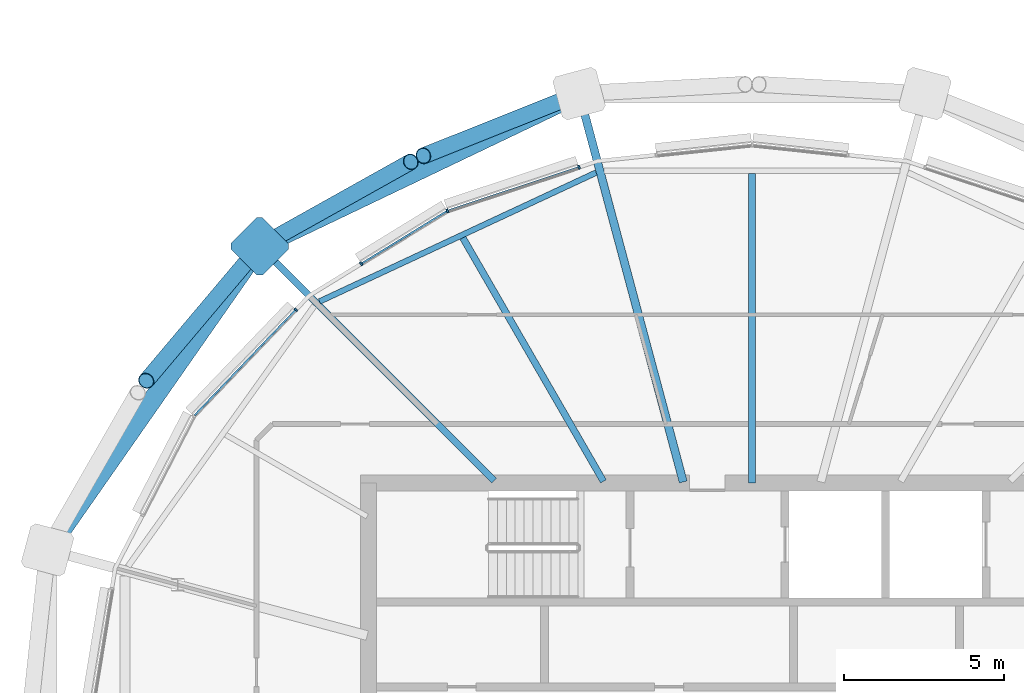
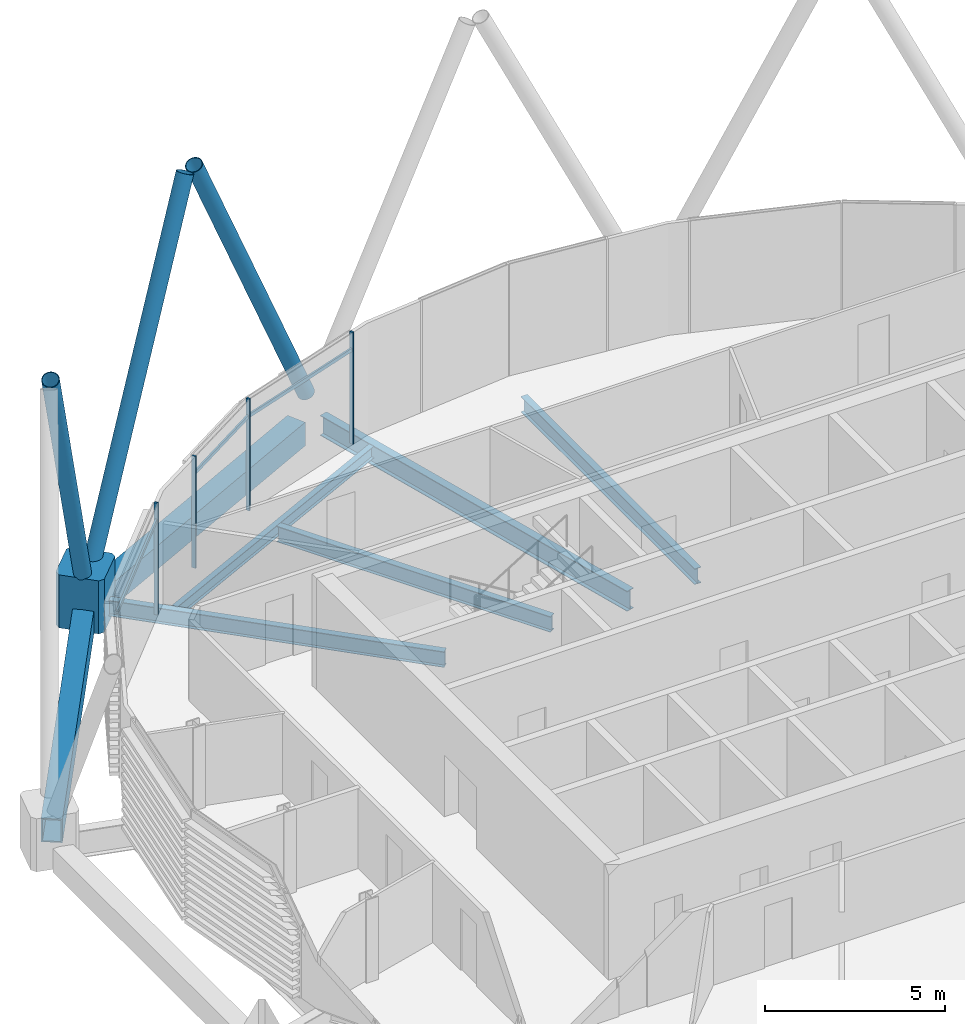
# One storey, part 8 of 34: 11 members, 7 beams, 1 element without a shape of its own.
"""IFC4 building model written with IfcOpenShell, lengths in metres."""

import ifcopenshell
import ifcopenshell.guid

model = None  # the IFC model being written
_history = None  # IfcOwnerHistory: only IFC2X3 demands one
_inside = {}  # id of a spatial element -> (the spatial element, [elements in it])
_under = {}  # id of a project, library or spatial element -> (it, [spatial elements below it])
_declared = {}  # id of a project -> (the project, [libraries it declares])
_typed = {}  # id of a type object -> (the type object, [elements of that type])
_made_of = {}  # id of a material, layer set ... -> (it, [elements and type objects made of it])


def new_model(schema):
    """Start an empty IFC model of exactly this schema.

    Asked for "IFC4X3", IfcOpenShell would pick the latest addendum, in which some entities
    have other attributes; the version numbers below select the first issue.
    IFC2X3 requires an IfcOwnerHistory on every rooted entity: one is made here for all.
    """
    global model, _history
    if schema == "IFC4X3":
        model = ifcopenshell.file(schema_version=(4, 3, 0, 0))
    else:
        model = ifcopenshell.file(schema=schema)
    _inside.clear()
    _under.clear()
    _declared.clear()
    _typed.clear()
    _made_of.clear()
    _history = None
    if model.schema == "IFC2X3":
        org = make("IfcOrganization", Name="unknown")
        user = make(
            "IfcPersonAndOrganization",
            ThePerson=make("IfcPerson", FamilyName="unknown"),
            TheOrganization=org,
        )
        app = make(
            "IfcApplication",
            ApplicationDeveloper=org,
            Version="unknown",
            ApplicationFullName="unknown",
            ApplicationIdentifier="unknown",
        )
        _history = make(
            "IfcOwnerHistory",
            OwningUser=user,
            OwningApplication=app,
            ChangeAction="ADDED",
            CreationDate=0,
        )
    return model


def make(cls, **values):
    """One entity of the class cls with the attributes given. An attribute that is None is left unset."""
    return model.create_entity(
        cls, **{name: value for name, value in values.items() if value is not None}
    )


def rooted(cls, **values):
    """An entity with a GlobalId (a new one), such as an element, a storey or a relation."""
    return make(cls, GlobalId=ifcopenshell.guid.new(), OwnerHistory=_history, **values)


def si_unit(unit_type, name, prefix=None):
    """IfcSIUnit, for example si_unit("LENGTHUNIT", "METRE", prefix="MILLI")."""
    return make("IfcSIUnit", UnitType=unit_type, Prefix=prefix, Name=name)


def assignment(units):
    """IfcUnitAssignment: the units of a project."""
    return None if units is None else make("IfcUnitAssignment", Units=units)


def point(xyz):
    """IfcCartesianPoint."""
    return None if xyz is None else make("IfcCartesianPoint", Coordinates=xyz)


def direction(xyz):
    """IfcDirection."""
    return None if xyz is None else make("IfcDirection", DirectionRatios=xyz)


def frame(location, z_axis=None, x_axis=None):
    """IfcAxis2Placement3D, a coordinate frame: its origin and axes. An axis left out is left unset."""
    return make(
        "IfcAxis2Placement3D",
        Location=point(location),
        Axis=direction(z_axis),
        RefDirection=direction(x_axis),
    )


def frame_2d(location, x_axis=None):
    """IfcAxis2Placement2D, a coordinate frame in the plane: its origin and x axis."""
    return make(
        "IfcAxis2Placement2D", Location=point(location), RefDirection=direction(x_axis)
    )


def origin():
    """The frame at (0, 0, 0) with its axes left unset."""
    return frame((0.0, 0.0, 0.0))


def origin_2d():
    """The frame at (0, 0) in the plane with its x axis left unset."""
    return frame_2d((0.0, 0.0))


def place(relative_to, where):
    """IfcLocalPlacement: puts the frame where relative to a parent placement (None: the world)."""
    return make(
        "IfcLocalPlacement", PlacementRelTo=relative_to, RelativePlacement=where
    )


def context(
    kind, dimensions, precision=None, world=None, true_north=None, identifier=None
):
    """IfcGeometricRepresentationContext, for example the 3D "Model" context."""
    return make(
        "IfcGeometricRepresentationContext",
        ContextIdentifier=identifier,
        ContextType=kind,
        CoordinateSpaceDimension=dimensions,
        Precision=precision,
        WorldCoordinateSystem=world,
        TrueNorth=true_north,
    )


def subcontext(parent, identifier, kind, view, scale=None):
    """IfcGeometricRepresentationSubContext, for example "Body" below "Model"."""
    return make(
        "IfcGeometricRepresentationSubContext",
        ContextIdentifier=identifier,
        ContextType=kind,
        ParentContext=parent,
        TargetScale=scale,
        TargetView=view,
    )


def project(units=None, contexts=None):
    """IfcProject with its units and contexts."""
    return rooted(
        "IfcProject",
        Name="project",
        RepresentationContexts=contexts,
        UnitsInContext=assignment(units),
    )


def spatial(cls, under=None, at=None, **own):
    """A site, building, storey or space (cls), placed at a placement, below another one or the project."""
    s = rooted(cls, ObjectPlacement=at, **own)
    if under is not None:
        _under.setdefault(under.id(), (under, []))[1].append(s)
    return s


def polyline(points):
    """IfcPolyline through the points."""
    return make("IfcPolyline", Points=[point(p) for p in points])


def profile(cls, at=None, kind="AREA", **sizes):
    """A parametric profile (cls). Its sizes go by their IFC names, for example OverallWidth=200.0."""
    return make(cls, ProfileType=kind, Position=at, **sizes)


def rectangle(**sizes):
    """IfcRectangleProfileDef."""
    return profile("IfcRectangleProfileDef", **sizes)


def hollow_rectangle(**sizes):
    """IfcRectangleHollowProfileDef."""
    return profile("IfcRectangleHollowProfileDef", **sizes)


def hollow_circle(**sizes):
    """IfcCircleHollowProfileDef."""
    return profile("IfcCircleHollowProfileDef", **sizes)


def i_section(**sizes):
    """IfcIShapeProfileDef."""
    return profile("IfcIShapeProfileDef", **sizes)


def outline(outer, holes=None, kind="AREA"):
    """IfcArbitraryClosedProfileDef: a profile drawn as a closed curve; with holes, ...WithVoids."""
    if holes is None:
        return make("IfcArbitraryClosedProfileDef", ProfileType=kind, OuterCurve=outer)
    return make(
        "IfcArbitraryProfileDefWithVoids",
        ProfileType=kind,
        OuterCurve=outer,
        InnerCurves=holes,
    )


def extrude(swept, where, along, depth):
    """IfcExtrudedAreaSolid: the profile swept, set in the frame where, extruded along a direction by depth."""
    return make(
        "IfcExtrudedAreaSolid",
        SweptArea=swept,
        Position=where,
        ExtrudedDirection=direction(along),
        Depth=depth,
    )


def shape(context_of_items, identifier, shape_type, items):
    """IfcShapeRepresentation: the items that make up one representation, for example the "Body"."""
    return make(
        "IfcShapeRepresentation",
        ContextOfItems=context_of_items,
        RepresentationIdentifier=identifier,
        RepresentationType=shape_type,
        Items=items,
    )


def material(Name=None, Category=None):
    """IfcMaterial."""
    return make("IfcMaterial", Name=Name, Category=Category)


def material_profile(
    of_material, cross_section, Name=None, Category=None, Priority=None
):
    """IfcMaterialProfile: a cross section and its material."""
    return make(
        "IfcMaterialProfile",
        Name=Name,
        Material=of_material,
        Profile=cross_section,
        Priority=Priority,
        Category=Category,
    )


def profile_set(profiles, Name=None, composite=None):
    """IfcMaterialProfileSet."""
    return make(
        "IfcMaterialProfileSet",
        Name=Name,
        MaterialProfiles=profiles,
        CompositeProfile=composite,
    )


def made_of(thing, what):
    """Note that an element or type object is made of a material, layer set ...; save() writes the relation."""
    if what is not None:
        _made_of.setdefault(what.id(), (what, []))[1].append(thing)
    return thing


def type_object(cls, material=None, **own):
    """A type object (cls), such as IfcWallType, which elements share."""
    return made_of(rooted(cls, **own), material)


def element(
    cls,
    number,
    at=None,
    inside=None,
    cuts=None,
    type_object=None,
    material=None,
    context=None,
    identifier="Body",
    shape_type=None,
    held_by="IfcProductDefinitionShape",
    body=None,
    shapes=None,
    **own,
):
    """One element of the class cls, such as IfcWall. Its Tag is "e" and its number.

    at: its placement. inside: the storey or other place that contains it. cuts: it is an
    opening in that element (IfcRelVoidsElement). A single representation is given by context,
    identifier, shape_type and body (its items); several are given by shapes. held_by: the class
    of the entity that holds the representations. save() writes the other relations.
    """
    e = rooted(cls, Tag="e%d" % number, ObjectPlacement=at, **own)
    if body is not None:
        shapes = [shape(context, identifier, shape_type, body)]
    if shapes is not None:
        e.Representation = make(held_by, Representations=shapes)
    if inside is not None:
        _inside.setdefault(inside.id(), (inside, []))[1].append(e)
    if cuts is not None:
        rooted(
            "IfcRelVoidsElement", RelatingBuildingElement=cuts, RelatedOpeningElement=e
        )
    if type_object is not None:
        _typed.setdefault(type_object.id(), (type_object, []))[1].append(e)
    return made_of(e, material)


def aggregate(whole, parts):
    """IfcRelAggregates: a whole, such as a stair, and the parts it consists of."""
    return rooted("IfcRelAggregates", RelatingObject=whole, RelatedObjects=parts)


def save(model, path):
    """Write the relations noted so far, then the file.

    IfcRelAggregates (storeys below a building ...), IfcRelContainedInSpatialStructure (elements
    in a storey), IfcRelDefinesByType, IfcRelAssociatesMaterial and IfcRelDeclares: one each for
    every whole, place, type object, material and project.
    """
    for whole, parts in _under.values():
        aggregate(whole, parts)
    for where, things in _inside.values():
        rooted(
            "IfcRelContainedInSpatialStructure",
            RelatedElements=things,
            RelatingStructure=where,
        )
    for kind, things in _typed.values():
        rooted("IfcRelDefinesByType", RelatedObjects=things, RelatingType=kind)
    for what, things in _made_of.values():
        rooted("IfcRelAssociatesMaterial", RelatedObjects=things, RelatingMaterial=what)
    for by, libraries in _declared.values():
        rooted("IfcRelDeclares", RelatingContext=by, RelatedDefinitions=libraries)
    model.write(path)


model = new_model("IFC4")

# Units and contexts
model_context = context("Model", 3, precision=1e-05, world=origin(), true_north=direction((0.0, 1.0)))
body_context = subcontext(model_context, "Body", "Model", "MODEL_VIEW")
ifc_project = project(units=[si_unit("LENGTHUNIT", "METRE"), si_unit("AREAUNIT", "SQUARE_METRE"), si_unit("VOLUMEUNIT", "CUBIC_METRE"), si_unit("PLANEANGLEUNIT", "RADIAN"), si_unit("MASSUNIT", "GRAM", prefix="KILO")], contexts=[model_context])

# Site, building, storey
site_placement = place(None, origin())
site = spatial("IfcSite", under=ifc_project, at=site_placement, CompositionType="ELEMENT")
building_placement = place(site_placement, origin())
building = spatial("IfcBuilding", under=site, at=building_placement, Name="Rimbun Link Towers", CompositionType="ELEMENT")
storey_placement = place(building_placement, frame((0.0, 0.0, 221.89990234375)))
storey = spatial("IfcBuildingStorey", under=building, at=storey_placement, Name="L54", CompositionType="ELEMENT", Elevation=221.89990234375)

# Curtain wall, members
ifc_material_1 = material(Name="Aluminium 6063-T6 and low-iron glass", Category="aluminium")
curtain_wall_type = type_object("IfcCurtainWallType", Name="CW1-Z4 unitised vision wall (zone 4)", PredefinedType="NOTDEFINED", material=ifc_material_1)
curtain_wall_placement = place(storey_placement, origin())
curtain_wall = element("IfcCurtainWall", 1, at=curtain_wall_placement, inside=storey, type_object=curtain_wall_type, Name="CW1 L54 T1", PredefinedType="NOTDEFINED")
ifc_material_2 = material(Name="Aluminium 6063-T6", Category="aluminium")
ifc_material_profile_1 = material_profile(ifc_material_2, rectangle(XDim=0.1201171875, YDim=0.06005859375, at=origin_2d()), Name="MULLION 60X120")
ifc_profile_set_1 = profile_set([ifc_material_profile_1], Name="Aluminium 6063-T6")
member_type_1 = type_object("IfcMemberType", Name="CW1 mullion 60X120", PredefinedType="MULLION", material=ifc_profile_set_1)
member_1_placement = place(storey_placement, frame((-41.279541015625, 16.51611328125, 0.0), z_axis=(0.0, 0.0, 1.0), x_axis=(-0.421702193119, 0.90673439348, 0.0)))
member_1 = element("IfcMember", 2, at=member_1_placement, type_object=member_type_1, Name="CW1 mullion", PredefinedType="MULLION", context=body_context, shape_type="SweptSolid", body=[
    extrude(rectangle(XDim=0.1201171875, YDim=0.06005859375, at=origin_2d()), origin(), (0.0, 0.0, 1.0), 3.800048828125),
])
member_2_placement = place(storey_placement, frame((-37.164794921875, 17.880126953125, 0.0), z_axis=(0.0, 0.0, 1.0), x_axis=(-0.314565372391, 0.949235811847, 0.0)))
member_2 = element("IfcMember", 3, at=member_2_placement, type_object=member_type_1, Name="CW1 mullion", PredefinedType="MULLION", context=body_context, shape_type="SweptSolid", body=[
    extrude(rectangle(XDim=0.1201171875, YDim=0.06005859375, at=origin_2d()), origin(), (0.0, 0.0, 1.0), 3.800048828125),
])
member_3_placement = place(storey_placement, frame((-43.977294921875, 14.8603515625, 0.0), z_axis=(0.0, 0.0, 1.0), x_axis=(-0.523236839844, 0.852187308888, 0.0)))
member_3 = element("IfcMember", 4, at=member_3_placement, type_object=member_type_1, Name="CW1 mullion", PredefinedType="MULLION", context=body_context, shape_type="SweptSolid", body=[
    extrude(rectangle(XDim=0.1201171875, YDim=0.06005859375, at=origin_2d()), origin(), (0.0, 0.0, 1.0), 3.800048828125),
])
member_4_placement = place(storey_placement, frame((-46.0234375, 13.42333984375, 0.0), z_axis=(0.0, 0.0, 1.0), x_axis=(-0.721853472084, 0.692045926829, 0.0)))
member_4 = element("IfcMember", 5, at=member_4_placement, type_object=member_type_1, Name="CW1 mullion", PredefinedType="MULLION", context=body_context, shape_type="SweptSolid", body=[
    extrude(rectangle(XDim=0.1201171875, YDim=0.06005859375, at=origin_2d()), origin(), (0.0, 0.0, 1.0), 3.800048828125),
])
ifc_material_3 = material(Name="Aluminium 6063-T6", Category="aluminium")
ifc_material_profile_2 = material_profile(ifc_material_3, rectangle(XDim=0.06005859375, YDim=0.1201171875, at=origin_2d()), Name="TRANSOM 60X120")
ifc_profile_set_2 = profile_set([ifc_material_profile_2], Name="Aluminium 6063-T6")
member_type_2 = type_object("IfcMemberType", Name="CW1 transom 60X120", PredefinedType="USERDEFINED", material=ifc_profile_set_2)
member_5_placement = place(storey_placement, frame((-41.243896484375, 16.5263671875, 3.2001953125), z_axis=(0.949236712638, 0.31456265414, 0.0), x_axis=(-0.31456265414, 0.949236712638, 0.0)))
member_5 = element("IfcMember", 6, at=member_5_placement, type_object=member_type_2, Name="CW1 transom", ObjectType="TRANSOM", PredefinedType="USERDEFINED", context=body_context, shape_type="SweptSolid", body=[
    extrude(rectangle(XDim=0.06005859375, YDim=0.1201171875, at=origin_2d()), origin(), (0.0, 0.0, 1.0), 4.267822265625),
])
member_6_placement = place(storey_placement, frame((-43.95068359375, 14.874267578125, 3.2001953125), z_axis=(0.852185401851, 0.523239945792, 0.0), x_axis=(-0.523239945792, 0.852185401851, 0.0)))
member_6 = element("IfcMember", 7, at=member_6_placement, type_object=member_type_2, Name="CW1 transom", ObjectType="TRANSOM", PredefinedType="USERDEFINED", context=body_context, shape_type="SweptSolid", body=[
    extrude(rectangle(XDim=0.06005859375, YDim=0.1201171875, at=origin_2d()), origin(), (0.0, 0.0, 1.0), 3.0986328125),
])
member_7_placement = place(storey_placement, frame((-49.189453125, 10.118408203125, 3.2001953125), z_axis=(0.692048801136, 0.721850716455, 0.0), x_axis=(-0.721850716455, 0.692048801136, 0.0)))
member_7 = element("IfcMember", 8, at=member_7_placement, type_object=member_type_2, Name="CW1 transom", ObjectType="TRANSOM", PredefinedType="USERDEFINED", context=body_context, shape_type="SweptSolid", body=[
    extrude(rectangle(XDim=0.06005859375, YDim=0.1201171875, at=origin_2d()), origin(), (0.0, 0.0, 1.0), 4.546630859375),
])
aggregate(curtain_wall, [member_1, member_2, member_3, member_4, member_5, member_6, member_7])

# Members
ifc_material_4 = material(Name="Steel S355J2H", Category="steel")
ifc_material_profile_3 = material_profile(ifc_material_4, hollow_circle(Radius=0.25390625, WallThickness=0.02001953125, at=origin_2d()), Name="Diagrid diagonal CHS 508x20")
ifc_profile_set_3 = profile_set([ifc_material_profile_3], Name="Steel S355J2H")
member_type_3 = type_object("IfcMemberType", Name="Diagrid diagonal CHS 508x20", PredefinedType="BRACE", material=ifc_profile_set_3)
member_8_placement = place(storey_placement, frame((-37.359375, 20.10498046875, 0.450927734375), z_axis=(-0.401435763468, -0.160318466892, 0.901746814235), x_axis=(0.370880399391, -0.928680639051, 0.0)))
element("IfcMember", 9, at=member_8_placement, inside=storey, type_object=member_type_3, Name="Diagrid diagonal T1 L54-L57 07b", PredefinedType="BRACE", context=body_context, shape_type="SweptSolid", body=[
    extrude(hollow_circle(Radius=0.25390625, WallThickness=0.02001953125, at=origin_2d()), origin(), (0.0, 0.0, 1.0), 11.64208984375),
])
member_9_placement = place(storey_placement, frame((-46.96240234375, 15.51416015625, 0.4482421875), z_axis=(0.387003624061, 0.2164186933, 0.896320893516), x_axis=(-0.488082495623, 0.872797500837, 0.0)))
element("IfcMember", 10, at=member_9_placement, inside=storey, type_object=member_type_3, Name="Diagrid diagonal T1 L54-L57 09a", PredefinedType="BRACE", context=body_context, shape_type="SweptSolid", body=[
    extrude(hollow_circle(Radius=0.25390625, WallThickness=0.02001953125, at=origin_2d()), origin(), (0.0, 0.0, 1.0), 11.71875),
])
member_10_placement = place(storey_placement, frame((-47.30078125, 15.234375, 0.44677734375), z_axis=(-0.28955822764, -0.343167817756, 0.893527773302), x_axis=(0.764280087871, -0.644884444908, 0.0)))
element("IfcMember", 11, at=member_10_placement, inside=storey, type_object=member_type_3, Name="Diagrid diagonal T1 L54-L57 09b", PredefinedType="BRACE", context=body_context, shape_type="SweptSolid", body=[
    extrude(hollow_circle(Radius=0.25390625, WallThickness=0.02001953125, at=origin_2d()), origin(), (0.0, 0.0, 1.0), 11.758544921875),
])
ifc_material_5 = material(Name="Cast steel G20Mn5+QT, Rp0.2 300 MPa", Category="steel")
ifc_material_profile_4 = material_profile(ifc_material_5, outline(polyline([(0.699951171875, -0.570068359375), (0.699951171875, 0.570068359375), (0.570068359375, 0.699951171875), (-0.570068359375, 0.699951171875), (-0.699951171875, 0.570068359375), (-0.699951171875, -0.570068359375), (-0.570068359375, -0.699951171875), (0.570068359375, -0.699951171875), (0.699951171875, -0.570068359375)])), Name="NODE 1400x1400")
ifc_profile_set_4 = profile_set([ifc_material_profile_4], Name="Cast steel G20Mn5+QT, Rp0.2 300 MPa")
member_type_4 = type_object("IfcMemberType", Name="Diagrid node cast 1400", PredefinedType="USERDEFINED", material=ifc_profile_set_4)
member_11_placement = place(storey_placement, frame((-47.156005859375, 15.406005859375, -0.89990234375), z_axis=(0.0, 0.0, 1.0), x_axis=(-0.707106781187, 0.707106781187, 0.0)))
element("IfcMember", 12, at=member_11_placement, inside=storey, type_object=member_type_4, Name="Diagrid node L54 09", ObjectType="Diagrid node", PredefinedType="USERDEFINED", context=body_context, shape_type="SweptSolid", body=[
    extrude(outline(polyline([(0.699951171875, -0.570068359375), (0.699951171875, 0.570068359375), (0.570068359375, 0.699951171875), (-0.570068359375, 0.699951171875), (-0.699951171875, 0.570068359375), (-0.699951171875, -0.570068359375), (-0.570068359375, -0.699951171875), (0.570068359375, -0.699951171875), (0.699951171875, -0.570068359375)])), origin(), (0.0, 0.0, 1.0), 1.800048828125),
])

# Beams
ifc_material_6 = material(Name="Steel S355J2", Category="steel")
ifc_material_profile_5 = material_profile(ifc_material_6, hollow_rectangle(XDim=0.60009765625, YDim=0.800048828125, WallThickness=0.0400390625, at=origin_2d()), Name="Exoskeleton ring girder BOX 600x800x40")
ifc_profile_set_5 = profile_set([ifc_material_profile_5], Name="Steel S355J2")
beam_type_1 = type_object("IfcBeamType", Name="Exoskeleton ring girder BOX 600x800x40", PredefinedType="BEAM", material=ifc_profile_set_5)
beam_1_placement = place(storey_placement, frame((-37.7900390625, 19.88330078125, -0.559814453125), z_axis=(-0.902205479774, -0.431306471393, 0.0), x_axis=(0.431306471393, -0.902205479774, 0.0)))
element("IfcBeam", 13, at=beam_1_placement, inside=storey, type_object=beam_type_1, Name="Exoskeleton ring girder L54 03", PredefinedType="BEAM", context=body_context, shape_type="SweptSolid", body=[
    extrude(hollow_rectangle(XDim=0.60009765625, YDim=0.800048828125, WallThickness=0.0400390625, at=origin_2d()), origin(), (0.0, 0.0, 1.0), 9.68115234375),
])
beam_2_placement = place(storey_placement, frame((-47.556640625, 14.83203125, -0.559814453125), z_axis=(-0.572582245507, -0.819847285859, 0.0), x_axis=(0.819847285859, -0.572582245507, 0.0)))
element("IfcBeam", 14, at=beam_2_placement, inside=storey, type_object=beam_type_1, Name="Exoskeleton ring girder L54 04", PredefinedType="BEAM", context=body_context, shape_type="SweptSolid", body=[
    extrude(hollow_rectangle(XDim=0.60009765625, YDim=0.800048828125, WallThickness=0.0400390625, at=origin_2d()), origin(), (0.0, 0.0, 1.0), 10.187744140625),
])
ifc_material_7 = material(Name="Steel S355J2", Category="steel")
ifc_material_profile_6 = material_profile(ifc_material_7, i_section(OverallWidth=0.177978515625, OverallDepth=0.406494140625, WebThickness=0.0078125, FlangeThickness=0.0126953125, at=origin_2d()), Name="UB 406x178x60")
ifc_profile_set_6 = profile_set([ifc_material_profile_6], Name="Steel S355J2")
beam_type_2 = type_object("IfcBeamType", Name="UB 406x178x60", PredefinedType="BEAM", material=ifc_profile_set_6)
beam_3_placement = place(storey_placement, frame((-36.62841796875, 17.712646484375, -0.343017578125), z_axis=(-0.906428649368, -0.422358974813, 0.0), x_axis=(0.422358974813, -0.906428649368, 0.0)))
element("IfcBeam", 15, at=beam_3_placement, inside=storey, type_object=beam_type_2, Name="Edge beam T1 L54 07-09", PredefinedType="BEAM", context=body_context, shape_type="SweptSolid", body=[
    extrude(i_section(OverallWidth=0.177978515625, OverallDepth=0.406494140625, WebThickness=0.0078125, FlangeThickness=0.0126953125, at=origin_2d()), origin(), (0.0, 0.0, 1.0), 9.54638671875),
])
ifc_material_8 = material(Name="Steel S355J2", Category="steel")
ifc_material_profile_7 = material_profile(ifc_material_8, i_section(OverallWidth=0.209228515625, OverallDepth=0.533203125, WebThickness=0.010009765625, FlangeThickness=0.015625, at=origin_2d()), Name="UB 533x210x92")
ifc_profile_set_7 = profile_set([ifc_material_profile_7], Name="Steel S355J2")
beam_type_3 = type_object("IfcBeamType", Name="UB 533x210x92", PredefinedType="BEAM", material=ifc_profile_set_7)
beam_4_placement = place(storey_placement, frame((-31.75, 8.0009765625, -0.406494140625), z_axis=(0.0, 1.0, 0.0), x_axis=(-1.0, 0.0, 0.0)))
element("IfcBeam", 16, at=beam_4_placement, inside=storey, type_object=beam_type_3, Name="Radial beam T1 L54 06", PredefinedType="BEAM", context=body_context, shape_type="SweptSolid", body=[
    extrude(i_section(OverallWidth=0.209228515625, OverallDepth=0.533203125, WebThickness=0.010009765625, FlangeThickness=0.015625, at=origin_2d()), origin(), (0.0, 0.0, 1.0), 9.676513671875),
])
beam_5_placement = place(storey_placement, frame((-36.3994140625, 8.05322265625, -0.406494140625), z_axis=(-0.500010759992, 0.866019191411, 0.0), x_axis=(-0.866019191411, -0.500010759992, 0.0)))
element("IfcBeam", 17, at=beam_5_placement, inside=storey, type_object=beam_type_3, Name="Radial beam T1 L54 08", PredefinedType="BEAM", context=body_context, shape_type="SweptSolid", body=[
    extrude(i_section(OverallWidth=0.209228515625, OverallDepth=0.533203125, WebThickness=0.010009765625, FlangeThickness=0.015625, at=origin_2d()), origin(), (0.0, 0.0, 1.0), 8.796142578125),
])
beam_6_placement = place(storey_placement, frame((-39.82470703125, 8.07470703125, -0.406494140625), z_axis=(-0.707106781187, 0.707106781187, 0.0), x_axis=(-0.707106781187, -0.707106781187, 0.0)))
element("IfcBeam", 18, at=beam_6_placement, inside=storey, type_object=beam_type_3, Name="Radial beam T1 L54 09", PredefinedType="BEAM", context=body_context, shape_type="SweptSolid", body=[
    extrude(i_section(OverallWidth=0.209228515625, OverallDepth=0.533203125, WebThickness=0.010009765625, FlangeThickness=0.015625, at=origin_2d()), origin(), (0.0, 0.0, 1.0), 9.86767578125),
])
ifc_material_9 = material(Name="Steel S355J2", Category="steel")
ifc_material_profile_8 = material_profile(ifc_material_9, i_section(OverallWidth=0.253662109375, OverallDepth=0.68359375, WebThickness=0.012451171875, FlangeThickness=0.01904296875, at=origin_2d()), Name="UB 686x254x140")
ifc_profile_set_8 = profile_set([ifc_material_profile_8], Name="Steel S355J2")
beam_type_4 = type_object("IfcBeamType", Name="UB 686x254x140", PredefinedType="BEAM", material=ifc_profile_set_8)
beam_7_placement = place(storey_placement, frame((-33.902587890625, 8.03369140625, -0.481689453125), z_axis=(-0.258825990636, 0.965923965212, 0.0), x_axis=(-0.965923965212, -0.258825990636, 0.0)))
element("IfcBeam", 19, at=beam_7_placement, inside=storey, type_object=beam_type_4, Name="Radial beam T1 L54 07", PredefinedType="BEAM", context=body_context, shape_type="SweptSolid", body=[
    extrude(i_section(OverallWidth=0.253662109375, OverallDepth=0.68359375, WebThickness=0.012451171875, FlangeThickness=0.01904296875, at=origin_2d()), origin(), (0.0, 0.0, 1.0), 12.080322265625),
])

save(model, "model.ifc")
